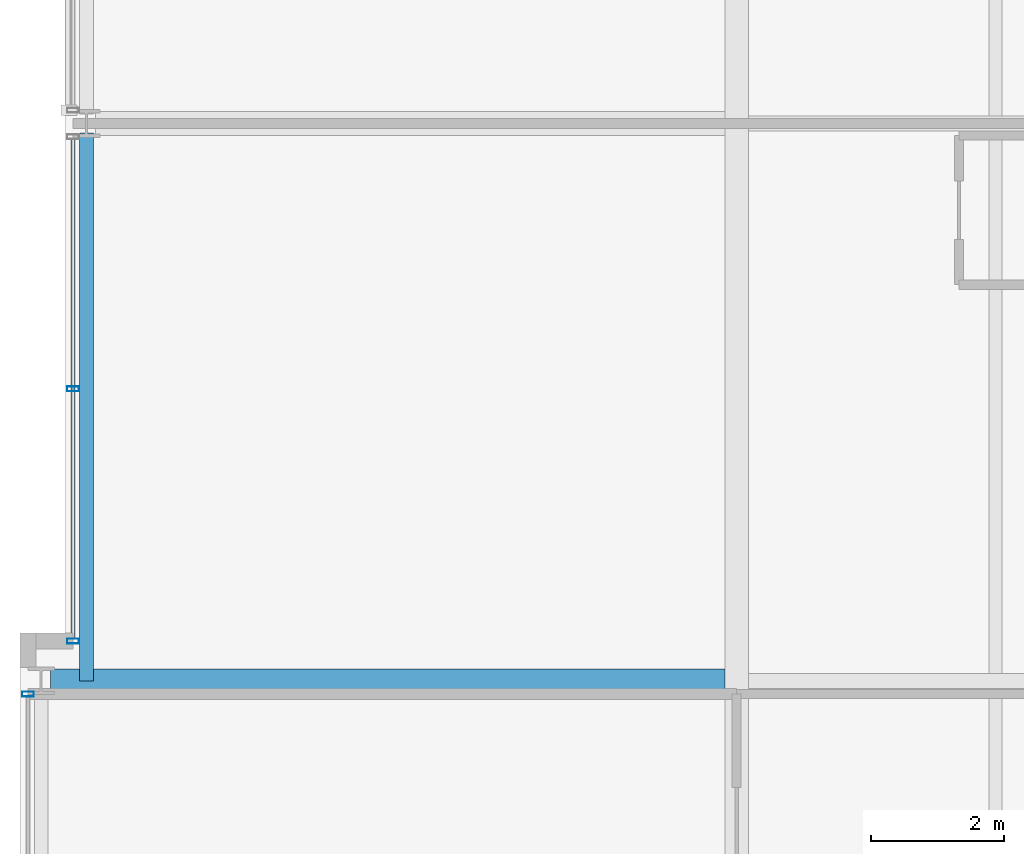
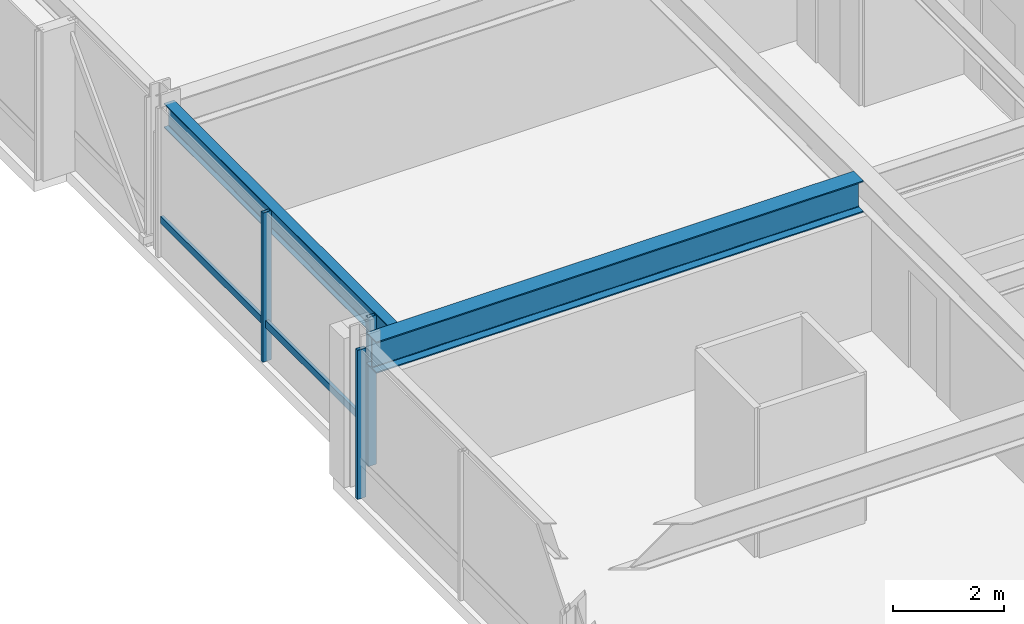
# One storey, part 7 of 34: 4 members, 2 beams, 2 elements without a shape of their own.
"""IFC4 building model written with IfcOpenShell, lengths in metres."""

from ifc_helpers import new_model, si_unit, direction, frame, origin, origin_2d, place, context, subcontext, project, spatial, hollow_rectangle, i_section, extrude, material, layer, layer_set, material_profile, profile_set, type_object, element, aggregate, save


model = new_model("IFC4")

# Units and contexts
model_context = context("Model", 3, precision=1e-05, world=origin(), true_north=direction((0.0, 1.0)))
body_context = subcontext(model_context, "Body", "Model", "MODEL_VIEW")
ifc_project = project(units=[si_unit("LENGTHUNIT", "METRE"), si_unit("AREAUNIT", "SQUARE_METRE"), si_unit("VOLUMEUNIT", "CUBIC_METRE"), si_unit("PLANEANGLEUNIT", "RADIAN"), si_unit("MASSUNIT", "GRAM", prefix="KILO")], contexts=[model_context])

# Site, building, storey
site_placement = place(None, origin())
site = spatial("IfcSite", under=ifc_project, at=site_placement, CompositionType="ELEMENT")
building_placement = place(site_placement, origin())
building = spatial("IfcBuilding", under=site, at=building_placement, Name="Drelvath Grand Hotel", CompositionType="ELEMENT")
storey_placement = place(building_placement, frame((0.0, 0.0, 175.25)))
storey = spatial("IfcBuildingStorey", under=building, at=storey_placement, Name="L45", CompositionType="ELEMENT", Elevation=175.25)

# Curtain wall, member
ifc_material_1 = material(Name="Brushed Pale-Silver Anodised Aluminium Frame", Category="aluminium")
ifc_layer = layer(ifc_material_1, 0.199951171875)
ifc_layer_set = layer_set([ifc_layer], Name="Brushed Pale-Silver Anodised Aluminium Frame")
curtain_wall_type = type_object("IfcCurtainWallType", Name="Stick Curtain Wall CW-04 Brushed Silver Upper-Mid", PredefinedType="NOTDEFINED", material=ifc_layer_set)
curtain_wall_1_placement = place(storey_placement, origin())
curtain_wall_1 = element("IfcCurtainWall", 1, at=curtain_wall_1_placement, inside=storey, type_object=curtain_wall_type, Name="L45 CW-04 Curtain Wall CW04-L45-WM1", PredefinedType="NOTDEFINED")
ifc_material_profile_1 = material_profile(ifc_material_1, hollow_rectangle(XDim=0.06494140625, YDim=0.159912109375, WallThickness=0.00390625, at=origin_2d()), Name="HSS160X65X4")
ifc_profile_set_1 = profile_set([ifc_material_profile_1], Name="Brushed Pale-Silver Anodised Aluminium Frame")
member_type_1 = type_object("IfcMemberType", Name="Curtain Wall Horizontal Transom CW-04 HSS160X65X4", PredefinedType="USERDEFINED", material=ifc_profile_set_1)
member_1_placement = place(storey_placement, frame((-26.199951171875, 19.239990234375, 0.822509765625), z_axis=(0.0, 1.0, 0.0), x_axis=(-1.0, 0.0, 0.0)))
member_1 = element("IfcMember", 2, at=member_1_placement, type_object=member_type_1, Name="CW04-L45-WM1 Sill Transom", ObjectType="TRANSOM", PredefinedType="USERDEFINED", context=body_context, shape_type="SweptSolid", body=[
    extrude(hollow_rectangle(XDim=0.06494140625, YDim=0.159912109375, WallThickness=0.00390625, at=origin_2d()), origin(), (0.0, 0.0, 1.0), 7.52001953125),
])

curtain_wall_2_placement = place(storey_placement, origin())
curtain_wall_2 = element("IfcCurtainWall", 3, at=curtain_wall_2_placement, inside=storey, type_object=curtain_wall_type, Name="L45 CW-04 Curtain Wall CW04-L45-WS2", PredefinedType="NOTDEFINED")
ifc_material_profile_2 = material_profile(ifc_material_1, hollow_rectangle(XDim=0.074951171875, YDim=0.179931640625, WallThickness=0.0048828125, at=origin_2d()), Name="HSS180X75X5")
ifc_profile_set_2 = profile_set([ifc_material_profile_2], Name="Brushed Pale-Silver Anodised Aluminium Frame")
member_type_2 = type_object("IfcMemberType", Name="Curtain Wall Vertical Mullion CW-04 HSS180X75X5", PredefinedType="MULLION", material=ifc_profile_set_2)
member_2_placement = place(storey_placement, frame((-26.8798828125, 18.39990234375, 0.0), z_axis=(0.0, 0.0, 1.0), x_axis=(0.0, 1.0, 0.0)))
member_2 = element("IfcMember", 4, at=member_2_placement, type_object=member_type_2, Name="CW04-L45-WS2 Mullion 3", PredefinedType="MULLION", context=body_context, shape_type="SweptSolid", body=[
    extrude(hollow_rectangle(XDim=0.074951171875, YDim=0.179931640625, WallThickness=0.0048828125, at=origin_2d()), origin(), (0.0, 0.0, 1.0), 3.2900390625),
])
aggregate(curtain_wall_2, [member_2])

# Member
member_3_placement = place(storey_placement, frame((-26.199951171875, 19.199951171875, 0.0), z_axis=(0.0, 0.0, 1.0), x_axis=(0.0, 1.0, 0.0)))
member_3 = element("IfcMember", 5, at=member_3_placement, type_object=member_type_2, Name="CW04-L45-WM1 Mullion 1", PredefinedType="MULLION", context=body_context, shape_type="SweptSolid", body=[
    extrude(hollow_rectangle(XDim=0.074951171875, YDim=0.179931640625, WallThickness=0.0048828125, at=origin_2d()), origin(), (0.0, 0.0, 1.0), 3.2900390625),
])

member_4_placement = place(storey_placement, frame((-26.199951171875, 23.0, 0.0), z_axis=(0.0, 0.0, 1.0), x_axis=(0.0, 1.0, 0.0)))
member_4 = element("IfcMember", 6, at=member_4_placement, type_object=member_type_2, Name="CW04-L45-WM1 Mullion 2", PredefinedType="MULLION", context=body_context, shape_type="SweptSolid", body=[
    extrude(hollow_rectangle(XDim=0.074951171875, YDim=0.179931640625, WallThickness=0.0048828125, at=origin_2d()), origin(), (0.0, 0.0, 1.0), 3.2900390625),
])

aggregate(curtain_wall_1, [member_3, member_4, member_1])

# Beams
ifc_material_2 = material(Name="Steel ASTM A992 Gr 50", Category="steel")
ifc_material_profile_3 = material_profile(ifc_material_2, i_section(OverallWidth=0.210205078125, OverallDepth=0.53662109375, WebThickness=0.010986328125, FlangeThickness=0.017333984375, FilletRadius=0.01806640625, at=origin_2d()), Name="W21X68")
ifc_profile_set_3 = profile_set([ifc_material_profile_3], Name="Steel ASTM A992 Gr 50")
beam_type_1 = type_object("IfcBeamType", Name="Perimeter Spandrel Beam W21X68", PredefinedType="SPANDREL", material=ifc_profile_set_3)
beam_1_placement = place(storey_placement, frame((-26.0, 18.60009765625, 3.021484375), z_axis=(0.0, 1.0, 0.0), x_axis=(-1.0, 0.0, 0.0)))
element("IfcBeam", 7, at=beam_1_placement, inside=storey, type_object=beam_type_1, Name="L45 Spandrel West Mid S", PredefinedType="SPANDREL", context=body_context, shape_type="SweptSolid", body=[
    extrude(i_section(OverallWidth=0.210205078125, OverallDepth=0.53662109375, WebThickness=0.010986328125, FlangeThickness=0.017333984375, FilletRadius=0.01806640625, at=origin_2d()), origin(), (0.0, 0.0, 1.0), 8.260009765625),
])
ifc_material_profile_4 = material_profile(ifc_material_2, i_section(OverallWidth=0.354736328125, OverallDepth=0.695556640625, WebThickness=0.015380859375, FlangeThickness=0.025146484375, FilletRadius=0.02392578125, at=origin_2d()), Name="W27X146")
ifc_profile_set_4 = profile_set([ifc_material_profile_4], Name="Steel ASTM A992 Gr 50")
beam_type_2 = type_object("IfcBeamType", Name="Primary Floor Girder W27X146", PredefinedType="BEAM", material=ifc_profile_set_4)
beam_2_placement = place(storey_placement, frame((-26.5400390625, 18.60009765625, 2.9423828125), z_axis=(1.0, 0.0, 0.0), x_axis=(0.0, 1.0, 0.0)))
element("IfcBeam", 8, at=beam_2_placement, inside=storey, type_object=beam_type_2, Name="L45 West Wing Girder D", PredefinedType="BEAM", context=body_context, shape_type="SweptSolid", body=[
    extrude(i_section(OverallWidth=0.354736328125, OverallDepth=0.695556640625, WebThickness=0.015380859375, FlangeThickness=0.025146484375, FilletRadius=0.02392578125, at=origin_2d()), origin(), (0.0, 0.0, 1.0), 10.16259765625),
])

save(model, "model.ifc")
